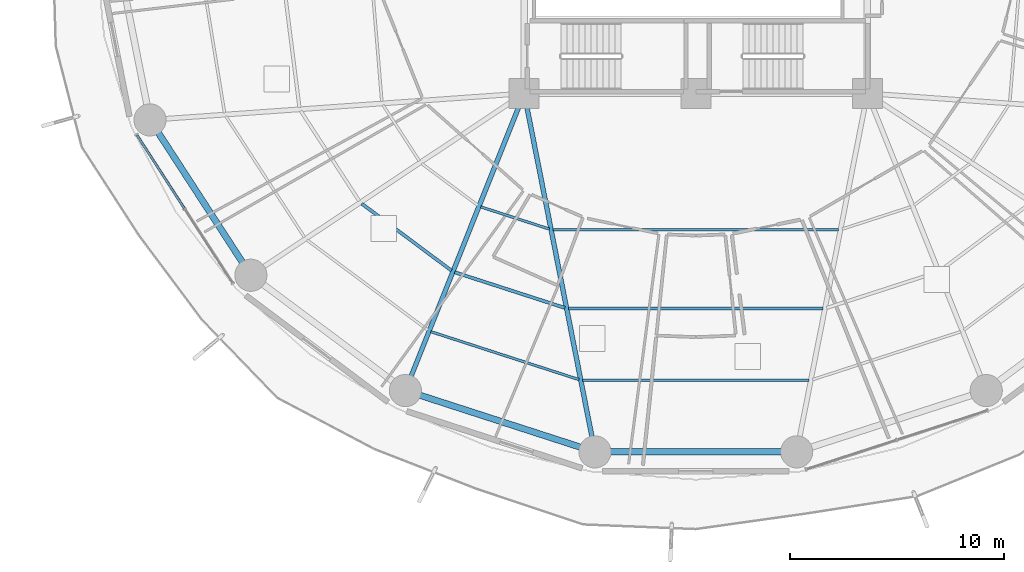
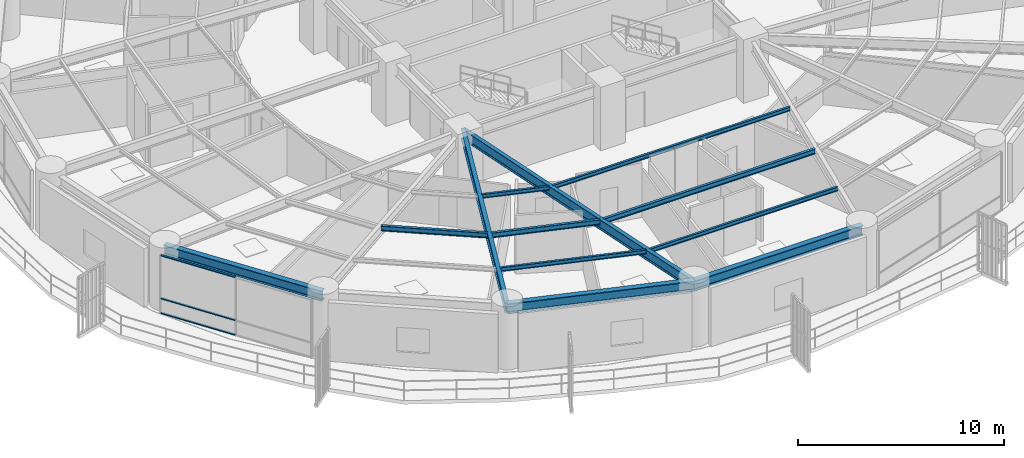
# One storey, part 3 of 32: 12 beams, 3 members, 1 element without a shape of its own.
"""IFC4 building model written with IfcOpenShell, lengths in metres."""

from ifc_helpers import new_model, si_unit, direction, frame, origin, origin_2d, place, context, subcontext, project, spatial, hollow_rectangle, i_section, extrude, material, layer, layer_set, material_profile, profile_set, type_object, element, aggregate, save


model = new_model("IFC4")

# Units and contexts
model_context = context("Model", 3, precision=1e-05, world=origin(), true_north=direction((0.0, 1.0)))
body_context = subcontext(model_context, "Body", "Model", "MODEL_VIEW")
ifc_project = project(units=[si_unit("LENGTHUNIT", "METRE"), si_unit("AREAUNIT", "SQUARE_METRE"), si_unit("VOLUMEUNIT", "CUBIC_METRE"), si_unit("PLANEANGLEUNIT", "RADIAN"), si_unit("MASSUNIT", "GRAM", prefix="KILO")], contexts=[model_context])

# Site, building, storey
site_placement = place(None, origin())
site = spatial("IfcSite", under=ifc_project, at=site_placement, CompositionType="ELEMENT")
building_placement = place(site_placement, origin())
building = spatial("IfcBuilding", under=site, at=building_placement, Name="Kelanora Arch Commons", CompositionType="ELEMENT")
storey_placement = place(building_placement, frame((0.0, 0.0, 52.5)))
storey = spatial("IfcBuildingStorey", under=building, at=storey_placement, Name="L13", CompositionType="ELEMENT", Elevation=52.5)

# Beams
ifc_material_1 = material(Name="Steel S355", Category="steel")
ifc_material_profile_1 = material_profile(ifc_material_1, i_section(OverallWidth=0.14990234375, OverallDepth=0.300048828125, WebThickness=0.007080078125, FlangeThickness=0.0107421875, FilletRadius=0.014892578125, at=origin_2d()), Name="IPE300")
ifc_profile_set_1 = profile_set([ifc_material_profile_1], Name="Steel S355")
beam_type_1 = type_object("IfcBeamType", Name="BM-JST-01", PredefinedType="JOIST", material=ifc_profile_set_1)
beam_1_placement = place(storey_placement, frame((58.42138671875, 45.8623046875, 3.340087890625), z_axis=(0.801478251559, -0.598023922831, 0.0), x_axis=(0.598023922831, 0.801478251559, 0.0)))
element("IfcBeam", 1, at=beam_1_placement, inside=storey, type_object=beam_type_1, Name="Secondary Chord Joist BJB-22 L13", PredefinedType="JOIST", context=body_context, shape_type="SweptSolid", body=[
    extrude(i_section(OverallWidth=0.14990234375, OverallDepth=0.300048828125, WebThickness=0.007080078125, FlangeThickness=0.0107421875, FilletRadius=0.014892578125, at=origin_2d()), origin(), (0.0, 0.0, 1.0), 5.223388671875),
])
beam_2_placement = place(storey_placement, frame((62.7568359375, 42.66162109375, 3.340087890625), z_axis=(0.951412209627, -0.307920131482, 0.0), x_axis=(0.307920131482, 0.951412209627, 0.0)))
element("IfcBeam", 2, at=beam_2_placement, inside=storey, type_object=beam_type_1, Name="Secondary Chord Joist BJB-24 L13", PredefinedType="JOIST", context=body_context, shape_type="SweptSolid", body=[
    extrude(i_section(OverallWidth=0.14990234375, OverallDepth=0.300048828125, WebThickness=0.007080078125, FlangeThickness=0.0107421875, FilletRadius=0.014892578125, at=origin_2d()), origin(), (0.0, 0.0, 1.0), 5.4033203125),
])
beam_3_placement = place(storey_placement, frame((68.063720703125, 40.971435546875, 3.340087890625), z_axis=(1.0, 0.0, 0.0), x_axis=(0.0, 1.0, 0.0)))
element("IfcBeam", 3, at=beam_3_placement, inside=storey, type_object=beam_type_1, Name="Secondary Chord Joist BJB-26 L13", PredefinedType="JOIST", context=body_context, shape_type="SweptSolid", body=[
    extrude(i_section(OverallWidth=0.14990234375, OverallDepth=0.300048828125, WebThickness=0.007080078125, FlangeThickness=0.0107421875, FilletRadius=0.014892578125, at=origin_2d()), origin(), (0.0, 0.0, 1.0), 11.87255859375),
])
ifc_material_profile_2 = material_profile(ifc_material_1, i_section(OverallWidth=0.1201171875, OverallDepth=0.239990234375, WebThickness=0.006103515625, FlangeThickness=0.009765625, FilletRadius=0.014892578125, at=origin_2d()), Name="IPE240")
ifc_profile_set_2 = profile_set([ifc_material_profile_2], Name="Steel S355")
beam_type_2 = type_object("IfcBeamType", Name="BM-JST-02", PredefinedType="JOIST", material=ifc_profile_set_2)
beam_4_placement = place(storey_placement, frame((63.9755859375, 45.709228515625, 3.3701171875), z_axis=(0.951422608074, -0.30788800049, 0.0), x_axis=(0.30788800049, 0.951422608074, 0.0)))
element("IfcBeam", 4, at=beam_4_placement, inside=storey, type_object=beam_type_2, Name="Secondary Chord Joist BJA-24 L13", PredefinedType="JOIST", context=body_context, shape_type="SweptSolid", body=[
    extrude(i_section(OverallWidth=0.1201171875, OverallDepth=0.239990234375, WebThickness=0.006103515625, FlangeThickness=0.009765625, FilletRadius=0.014892578125, at=origin_2d()), origin(), (0.0, 0.0, 1.0), 3.359619140625),
])
beam_5_placement = place(storey_placement, frame((61.64892578125, 39.890625, 3.3701171875), z_axis=(0.951410915705, -0.307924129418, 0.0), x_axis=(0.307924129418, 0.951410915705, 0.0)))
element("IfcBeam", 5, at=beam_5_placement, inside=storey, type_object=beam_type_2, Name="Secondary Chord Joist BJC-24 L13", PredefinedType="JOIST", context=body_context, shape_type="SweptSolid", body=[
    extrude(i_section(OverallWidth=0.1201171875, OverallDepth=0.239990234375, WebThickness=0.006103515625, FlangeThickness=0.009765625, FilletRadius=0.014892578125, at=origin_2d()), origin(), (0.0, 0.0, 1.0), 7.260986328125),
])
beam_6_placement = place(storey_placement, frame((67.338134765625, 44.648681640625, 3.3701171875), z_axis=(1.0, 0.0, 0.0), x_axis=(0.0, 1.0, 0.0)))
element("IfcBeam", 6, at=beam_6_placement, inside=storey, type_object=beam_type_2, Name="Secondary Chord Joist BJA-26 L13", PredefinedType="JOIST", context=body_context, shape_type="SweptSolid", body=[
    extrude(i_section(OverallWidth=0.1201171875, OverallDepth=0.239990234375, WebThickness=0.006103515625, FlangeThickness=0.009765625, FilletRadius=0.014892578125, at=origin_2d()), origin(), (0.0, 0.0, 1.0), 13.32373046875),
])
beam_7_placement = place(storey_placement, frame((68.72314453125, 37.628662109375, 3.3701171875), z_axis=(1.0, 0.0, 0.0), x_axis=(0.0, 1.0, 0.0)))
element("IfcBeam", 7, at=beam_7_placement, inside=storey, type_object=beam_type_2, Name="Secondary Chord Joist BJC-26 L13", PredefinedType="JOIST", context=body_context, shape_type="SweptSolid", body=[
    extrude(i_section(OverallWidth=0.1201171875, OverallDepth=0.239990234375, WebThickness=0.006103515625, FlangeThickness=0.009765625, FilletRadius=0.014892578125, at=origin_2d()), origin(), (0.0, 0.0, 1.0), 10.5537109375),
])
ifc_material_profile_3 = material_profile(ifc_material_1, i_section(OverallWidth=0.219970703125, OverallDepth=0.60009765625, WebThickness=0.011962890625, FlangeThickness=0.01904296875, FilletRadius=0.02392578125, at=origin_2d()), Name="IPE600")
ifc_profile_set_3 = profile_set([ifc_material_profile_3], Name="Steel S355")
beam_type_3 = type_object("IfcBeamType", Name="BM-RAD-Z1", PredefinedType="BEAM", material=ifc_profile_set_3)
beam_8_placement = place(storey_placement, frame((66.0, 51.0, 3.18994140625), z_axis=(-0.371300398117, -0.928512797089, 0.0), x_axis=(0.928512797089, -0.371300398117, 0.0)))
element("IfcBeam", 8, at=beam_8_placement, inside=storey, type_object=beam_type_3, Name="Radial Floor Girder BR-24 L13", PredefinedType="BEAM", context=body_context, shape_type="SweptSolid", body=[
    extrude(i_section(OverallWidth=0.219970703125, OverallDepth=0.60009765625, WebThickness=0.011962890625, FlangeThickness=0.01904296875, FilletRadius=0.02392578125, at=origin_2d()), origin(), (0.0, 0.0, 1.0), 14.920654296875),
])
beam_9_placement = place(storey_placement, frame((66.0, 51.0, 3.18994140625), z_axis=(0.19356352044, -0.981087745084, 0.0), x_axis=(0.981087745084, 0.19356352044, 0.0)))
element("IfcBeam", 9, at=beam_9_placement, inside=storey, type_object=beam_type_3, Name="Radial Floor Girder BR-26 L13", PredefinedType="BEAM", context=body_context, shape_type="SweptSolid", body=[
    extrude(i_section(OverallWidth=0.219970703125, OverallDepth=0.60009765625, WebThickness=0.011962890625, FlangeThickness=0.01904296875, FilletRadius=0.02392578125, at=origin_2d()), origin(), (0.0, 0.0, 1.0), 17.036376953125),
])
ifc_material_profile_4 = material_profile(ifc_material_1, i_section(OverallWidth=0.300048828125, OverallDepth=0.60009765625, WebThickness=0.015380859375, FlangeThickness=0.030029296875, FilletRadius=0.027099609375, at=origin_2d()), Name="HEB600")
ifc_profile_set_4 = profile_set([ifc_material_profile_4], Name="Steel S355")
beam_type_4 = type_object("IfcBeamType", Name="BM-SPN-Z1", PredefinedType="SPANDREL", material=ifc_profile_set_4)
beam_10_placement = place(storey_placement, frame((48.552978515625, 49.76416015625, 3.18994140625), z_axis=(0.544585813928, -0.838705127722, 0.0), x_axis=(0.838705127722, 0.544585813928, 0.0)))
element("IfcBeam", 10, at=beam_10_placement, inside=storey, type_object=beam_type_4, Name="Perimeter Spandrel Beam BS-20 L13", PredefinedType="SPANDREL", context=body_context, shape_type="SweptSolid", body=[
    extrude(i_section(OverallWidth=0.300048828125, OverallDepth=0.60009765625, WebThickness=0.015380859375, FlangeThickness=0.030029296875, FilletRadius=0.027099609375, at=origin_2d()), origin(), (0.0, 0.0, 1.0), 8.63525390625),
])
beam_11_placement = place(storey_placement, frame((60.4599609375, 37.14599609375, 3.18994140625), z_axis=(0.951417120402, -0.307904957748, 0.0), x_axis=(0.307904957748, 0.951417120402, 0.0)))
element("IfcBeam", 11, at=beam_11_placement, inside=storey, type_object=beam_type_4, Name="Perimeter Spandrel Beam BS-24 L13", PredefinedType="SPANDREL", context=body_context, shape_type="SweptSolid", body=[
    extrude(i_section(OverallWidth=0.300048828125, OverallDepth=0.60009765625, WebThickness=0.015380859375, FlangeThickness=0.030029296875, FilletRadius=0.027099609375, at=origin_2d()), origin(), (0.0, 0.0, 1.0), 9.288818359375),
])
beam_12_placement = place(storey_placement, frame((69.297607421875, 34.285888671875, 3.18994140625), z_axis=(1.0, 0.0, 0.0), x_axis=(0.0, 1.0, 0.0)))
element("IfcBeam", 12, at=beam_12_placement, inside=storey, type_object=beam_type_4, Name="Perimeter Spandrel Beam BS-26 L13", PredefinedType="SPANDREL", context=body_context, shape_type="SweptSolid", body=[
    extrude(i_section(OverallWidth=0.300048828125, OverallDepth=0.60009765625, WebThickness=0.015380859375, FlangeThickness=0.030029296875, FilletRadius=0.027099609375, at=origin_2d()), origin(), (0.0, 0.0, 1.0), 9.40478515625),
])

# Curtain wall, members
ifc_material_2 = material(Name="Terracotta ceramic-fritted low-E glass and aluminium", Category="masonry")
ifc_layer = layer(ifc_material_2, 0.159912109375)
ifc_layer_set = layer_set([ifc_layer], Name="Terracotta ceramic-fritted low-E glass and aluminium")
curtain_wall_type = type_object("IfcCurtainWallType", Name="CW-SYS-01", PredefinedType="NOTDEFINED", material=ifc_layer_set)
curtain_wall_placement = place(storey_placement, origin())
curtain_wall = element("IfcCurtainWall", 13, at=curtain_wall_placement, inside=storey, type_object=curtain_wall_type, Name="Unitised Curtain Wall L13-B10", PredefinedType="NOTDEFINED")
ifc_material_3 = material(Name="Powder-coated aluminium terracotta", Category="masonry")
ifc_material_profile_5 = material_profile(ifc_material_3, hollow_rectangle(XDim=0.1201171875, YDim=0.06005859375, WallThickness=0.0048828125, InnerFilletRadius=0.0048828125, OuterFilletRadius=0.010009765625, at=origin_2d()), Name="CWT120x60")
ifc_profile_set_5 = profile_set([ifc_material_profile_5], Name="Powder-coated aluminium terracotta")
member_type = type_object("IfcMemberType", Name="CWT-STD", PredefinedType="USERDEFINED", material=ifc_profile_set_5)
member_1_placement = place(storey_placement, frame((47.944091796875, 49.054443359375, 0.030029296875), z_axis=(0.542997414293, -0.839734367566, 0.0), x_axis=(0.839734367566, 0.542997414293, 0.0)))
member_1 = element("IfcMember", 14, at=member_1_placement, type_object=member_type, Name="CW-01 transom 1.1", ObjectType="TRANSOM", PredefinedType="USERDEFINED", context=body_context, shape_type="SweptSolid", body=[
    extrude(hollow_rectangle(XDim=0.1201171875, YDim=0.06005859375, WallThickness=0.0048828125, InnerFilletRadius=0.0048828125, OuterFilletRadius=0.010009765625, at=origin_2d()), origin(), (0.0, 0.0, 1.0), 4.067626953125),
])
member_2_placement = place(storey_placement, frame((47.944091796875, 49.054443359375, 0.89990234375), z_axis=(0.542997414293, -0.839734367566, 0.0), x_axis=(0.839734367566, 0.542997414293, 0.0)))
member_2 = element("IfcMember", 15, at=member_2_placement, type_object=member_type, Name="CW-01 transom 1.2", ObjectType="TRANSOM", PredefinedType="USERDEFINED", context=body_context, shape_type="SweptSolid", body=[
    extrude(hollow_rectangle(XDim=0.1201171875, YDim=0.06005859375, WallThickness=0.0048828125, InnerFilletRadius=0.0048828125, OuterFilletRadius=0.010009765625, at=origin_2d()), origin(), (0.0, 0.0, 1.0), 4.067626953125),
])
member_3_placement = place(storey_placement, frame((47.944091796875, 49.054443359375, 3.445068359375), z_axis=(0.542997414293, -0.839734367566, 0.0), x_axis=(0.839734367566, 0.542997414293, 0.0)))
member_3 = element("IfcMember", 16, at=member_3_placement, type_object=member_type, Name="CW-01 transom 1.3", ObjectType="TRANSOM", PredefinedType="USERDEFINED", context=body_context, shape_type="SweptSolid", body=[
    extrude(hollow_rectangle(XDim=0.1201171875, YDim=0.06005859375, WallThickness=0.0048828125, InnerFilletRadius=0.0048828125, OuterFilletRadius=0.010009765625, at=origin_2d()), origin(), (0.0, 0.0, 1.0), 4.067626953125),
])
aggregate(curtain_wall, [member_1, member_2, member_3])

save(model, "model.ifc")
